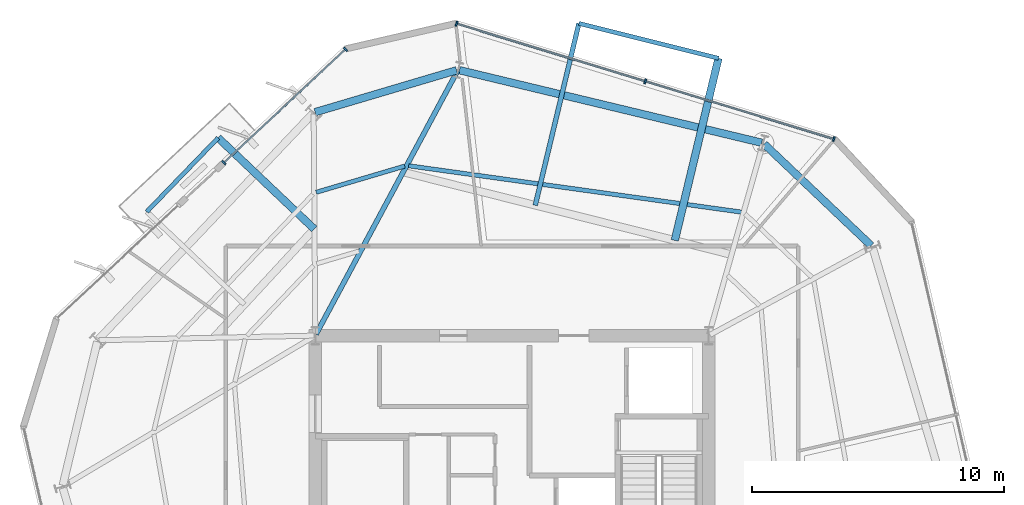
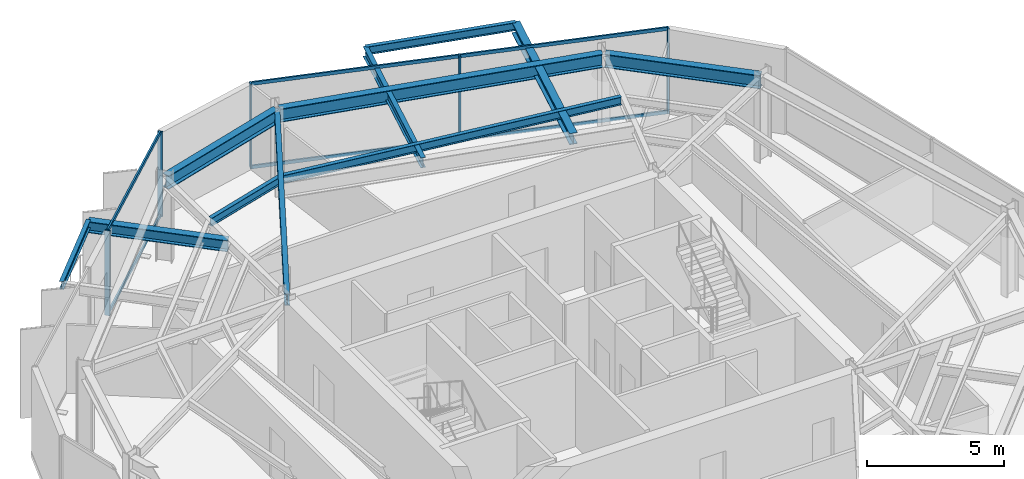
# One storey, part 5 of 11: 11 beams, 11 members, 2 elements without a shape of their own.
"""IFC4 building model written with IfcOpenShell, lengths in metres."""

from ifc_helpers import new_model, si_unit, direction, frame, origin, origin_2d, place, context, subcontext, project, spatial, rectangle, i_section, extrude, material, layer, layer_set, material_profile, profile_set, type_object, element, aggregate, save


model = new_model("IFC4")

# Units and contexts
model_context = context("Model", 3, precision=1e-05, world=origin(), true_north=direction((0.0, 1.0)))
body_context = subcontext(model_context, "Body", "Model", "MODEL_VIEW")
ifc_project = project(units=[si_unit("LENGTHUNIT", "METRE"), si_unit("AREAUNIT", "SQUARE_METRE"), si_unit("VOLUMEUNIT", "CUBIC_METRE"), si_unit("PLANEANGLEUNIT", "RADIAN"), si_unit("MASSUNIT", "GRAM", prefix="KILO")], contexts=[model_context])

# Site, building, storey
site_placement = place(None, origin())
site = spatial("IfcSite", under=ifc_project, at=site_placement, CompositionType="ELEMENT")
building_placement = place(site_placement, origin())
building = spatial("IfcBuilding", under=site, at=building_placement, Name="Kranzbogen Civic Tower", CompositionType="ELEMENT")
storey_placement = place(building_placement, frame((0.0, 0.0, 196.800048828125)))
storey = spatial("IfcBuildingStorey", under=building, at=storey_placement, Name="L47", CompositionType="ELEMENT", Elevation=196.800048828125)

# Beam
ifc_material_1 = material(Name="Steel S355", Category="steel")
ifc_material_profile_1 = material_profile(ifc_material_1, i_section(OverallWidth=0.18994140625, OverallDepth=0.449951171875, WebThickness=0.009521484375, FlangeThickness=0.0146484375, at=origin_2d()), Name="IPE 450")
ifc_profile_set_1 = profile_set([ifc_material_profile_1], Name="Steel S355")
beam_type_1 = type_object("IfcBeamType", Name="Braced Terrace Edge Beam IPE 450", PredefinedType="BEAM", material=ifc_profile_set_1)
beam_1_placement = place(storey_placement, frame((25.922119140625, 37.368896484375, 3.494873046875), z_axis=(0.233407815404, 0.972378934217, 0.0), x_axis=(-0.972378934217, 0.233407815404, 0.0)))
element("IfcBeam", 1, at=beam_1_placement, inside=storey, type_object=beam_type_1, Name="L48 back-spanned terrace beam L48-ST-2", PredefinedType="BEAM", context=body_context, shape_type="SweptSolid", body=[
    extrude(i_section(OverallWidth=0.18994140625, OverallDepth=0.449951171875, WebThickness=0.009521484375, FlangeThickness=0.0146484375, at=origin_2d()), origin(), (0.0, 0.0, 1.0), 7.416015625),
])

# Curtain wall, members
ifc_material_2 = material(Name="Pale Anodised Aluminium", Category="aluminium")
ifc_layer = layer(ifc_material_2, 0.219970703125, Name="Pale Anodised Aluminium")
ifc_layer_set = layer_set([ifc_layer], Name="Pale Anodised Aluminium")
curtain_wall_type = type_object("IfcCurtainWallType", Name="Zone 3 Stick Curtain Wall System CW-04", PredefinedType="USERDEFINED", material=ifc_layer_set)
curtain_wall_1_placement = place(storey_placement, origin())
curtain_wall_1 = element("IfcCurtainWall", 2, at=curtain_wall_1_placement, inside=storey, type_object=curtain_wall_type, Name="L47 curtain wall CW-L47-F1", ObjectType="STICK CURTAIN WALL", PredefinedType="USERDEFINED")
ifc_material_profile_2 = material_profile(ifc_material_2, rectangle(XDim=0.070068359375, YDim=0.199951171875, at=origin_2d()), Name="ALU-M 70x200")
ifc_profile_set_2 = profile_set([ifc_material_profile_2], Name="Pale Anodised Aluminium")
member_type_1 = type_object("IfcMemberType", Name="Curtain Wall Mullion ALU-M 70x200", PredefinedType="MULLION", material=ifc_profile_set_2)
member_1_placement = place(storey_placement, frame((37.765380859375, 39.994873046875, 0.0), z_axis=(0.0, 0.0, 1.0), x_axis=(-0.956311529973, 0.292349547017, 0.0)))
member_1 = element("IfcMember", 3, at=member_1_placement, type_object=member_type_1, Name="CW-04 mullion 1", PredefinedType="MULLION", context=body_context, shape_type="SweptSolid", body=[
    extrude(rectangle(XDim=0.070068359375, YDim=0.199951171875, at=origin_2d()), origin(), (0.0, 0.0, 1.0), 3.780029296875),
])
member_2_placement = place(storey_placement, frame((30.283447265625, 42.281982421875, 0.0), z_axis=(0.0, 0.0, 1.0), x_axis=(-0.956311529973, 0.292349547017, 0.0)))
member_2 = element("IfcMember", 4, at=member_2_placement, type_object=member_type_1, Name="CW-04 mullion 2", PredefinedType="MULLION", context=body_context, shape_type="SweptSolid", body=[
    extrude(rectangle(XDim=0.070068359375, YDim=0.199951171875, at=origin_2d()), origin(), (0.0, 0.0, 1.0), 3.780029296875),
])
member_3_placement = place(storey_placement, frame((22.8017578125, 44.5693359375, 0.0), z_axis=(0.0, 0.0, 1.0), x_axis=(-0.956311529973, 0.292349547017, 0.0)))
member_3 = element("IfcMember", 5, at=member_3_placement, type_object=member_type_1, Name="CW-04 mullion 3", PredefinedType="MULLION", context=body_context, shape_type="SweptSolid", body=[
    extrude(rectangle(XDim=0.070068359375, YDim=0.199951171875, at=origin_2d()), origin(), (0.0, 0.0, 1.0), 3.780029296875),
])

curtain_wall_2_placement = place(storey_placement, origin())
curtain_wall_2 = element("IfcCurtainWall", 6, at=curtain_wall_2_placement, inside=storey, type_object=curtain_wall_type, Name="L47 curtain wall CW-L47-F2-S1", ObjectType="STICK CURTAIN WALL", PredefinedType="USERDEFINED")
member_4_placement = place(storey_placement, frame((18.39697265625, 43.552490234375, 0.0), z_axis=(0.0, 0.0, 1.0), x_axis=(-0.731325095632, -0.682029034939, 0.0)))
member_4 = element("IfcMember", 7, at=member_4_placement, type_object=member_type_1, Name="CW-04 mullion 1", PredefinedType="MULLION", context=body_context, shape_type="SweptSolid", body=[
    extrude(rectangle(XDim=0.070068359375, YDim=0.199951171875, at=origin_2d()), origin(), (0.0, 0.0, 1.0), 3.780029296875),
])
member_5_placement = place(storey_placement, frame((13.574951171875, 39.055419921875, 0.0), z_axis=(0.0, 0.0, 1.0), x_axis=(-0.731325095632, -0.682029034939, 0.0)))
member_5 = element("IfcMember", 8, at=member_5_placement, type_object=member_type_1, Name="CW-04 mullion 2", PredefinedType="MULLION", context=body_context, shape_type="SweptSolid", body=[
    extrude(rectangle(XDim=0.070068359375, YDim=0.199951171875, at=origin_2d()), origin(), (0.0, 0.0, 1.0), 3.780029296875),
])

# Member
ifc_material_profile_3 = material_profile(ifc_material_2, rectangle(XDim=0.070068359375, YDim=0.14990234375, at=origin_2d()), Name="ALU-T 70x150")
ifc_profile_set_3 = profile_set([ifc_material_profile_3], Name="Pale Anodised Aluminium")
member_type_2 = type_object("IfcMemberType", Name="Curtain Wall Transom ALU-T 70x150", PredefinedType="USERDEFINED", material=ifc_profile_set_3)
member_6_placement = place(storey_placement, frame((37.736572265625, 40.003662109375, 0.030029296875), z_axis=(-0.956315922053, 0.292335179592, 0.0), x_axis=(-0.292335179592, -0.956315922053, 0.0)))
member_6 = element("IfcMember", 9, at=member_6_placement, type_object=member_type_2, Name="CW-04 transom 1.1", ObjectType="TRANSOM", PredefinedType="USERDEFINED", context=body_context, shape_type="SweptSolid", body=[
    extrude(rectangle(XDim=0.070068359375, YDim=0.14990234375, at=origin_2d()), origin(), (0.0, 0.0, 1.0), 7.763427734375),
])

member_7_placement = place(storey_placement, frame((37.736572265625, 40.003662109375, 3.75), z_axis=(-0.956315922053, 0.292335179592, 0.0), x_axis=(-0.292335179592, -0.956315922053, 0.0)))
member_7 = element("IfcMember", 10, at=member_7_placement, type_object=member_type_2, Name="CW-04 transom 1.2", ObjectType="TRANSOM", PredefinedType="USERDEFINED", context=body_context, shape_type="SweptSolid", body=[
    extrude(rectangle(XDim=0.070068359375, YDim=0.14990234375, at=origin_2d()), origin(), (0.0, 0.0, 1.0), 7.763427734375),
])

member_8_placement = place(storey_placement, frame((30.2548828125, 42.290771484375, 0.030029296875), z_axis=(-0.956309817986, 0.292355147079, 0.0), x_axis=(-0.292355147079, -0.956309817986, 0.0)))
member_8 = element("IfcMember", 11, at=member_8_placement, type_object=member_type_2, Name="CW-04 transom 2.1", ObjectType="TRANSOM", PredefinedType="USERDEFINED", context=body_context, shape_type="SweptSolid", body=[
    extrude(rectangle(XDim=0.070068359375, YDim=0.14990234375, at=origin_2d()), origin(), (0.0, 0.0, 1.0), 7.763671875),
])

member_9_placement = place(storey_placement, frame((30.2548828125, 42.290771484375, 3.75), z_axis=(-0.956309817986, 0.292355147079, 0.0), x_axis=(-0.292355147079, -0.956309817986, 0.0)))
member_9 = element("IfcMember", 12, at=member_9_placement, type_object=member_type_2, Name="CW-04 transom 2.2", ObjectType="TRANSOM", PredefinedType="USERDEFINED", context=body_context, shape_type="SweptSolid", body=[
    extrude(rectangle(XDim=0.070068359375, YDim=0.14990234375, at=origin_2d()), origin(), (0.0, 0.0, 1.0), 7.763671875),
])

aggregate(curtain_wall_1, [member_1, member_2, member_3, member_6, member_7, member_8, member_9])

member_10_placement = place(storey_placement, frame((18.375, 43.531982421875, 0.030029296875), z_axis=(-0.73132113506, -0.68203328175, 0.0), x_axis=(0.68203328175, -0.73132113506, 0.0)))
member_10 = element("IfcMember", 13, at=member_10_placement, type_object=member_type_2, Name="CW-04 transom 1.1", ObjectType="TRANSOM", PredefinedType="USERDEFINED", context=body_context, shape_type="SweptSolid", body=[
    extrude(rectangle(XDim=0.070068359375, YDim=0.14990234375, at=origin_2d()), origin(), (0.0, 0.0, 1.0), 6.533447265625),
])

member_11_placement = place(storey_placement, frame((18.375, 43.531982421875, 3.75), z_axis=(-0.73132113506, -0.68203328175, 0.0), x_axis=(0.68203328175, -0.73132113506, 0.0)))
member_11 = element("IfcMember", 14, at=member_11_placement, type_object=member_type_2, Name="CW-04 transom 1.2", ObjectType="TRANSOM", PredefinedType="USERDEFINED", context=body_context, shape_type="SweptSolid", body=[
    extrude(rectangle(XDim=0.070068359375, YDim=0.14990234375, at=origin_2d()), origin(), (0.0, 0.0, 1.0), 6.533447265625),
])

aggregate(curtain_wall_2, [member_4, member_5, member_10, member_11])

# Beams
ifc_material_profile_4 = material_profile(ifc_material_1, i_section(OverallWidth=0.300048828125, OverallDepth=0.5, WebThickness=0.014404296875, FlangeThickness=0.028076171875, at=origin_2d()), Name="HEB 500")
ifc_profile_set_4 = profile_set([ifc_material_profile_4], Name="Steel S355")
beam_type_2 = type_object("IfcBeamType", Name="Perimeter Tube Spandrel Beam HEB 500", PredefinedType="SPANDREL", material=ifc_profile_set_4)
beam_2_placement = place(storey_placement, frame((17.155029296875, 36.429931640625, 3.5), z_axis=(-0.72543810081, 0.688287412273, 0.0), x_axis=(-0.688287412273, -0.72543810081, 0.0)))
element("IfcBeam", 15, at=beam_2_placement, inside=storey, type_object=beam_type_2, Name="L48 back-spanned terrace beam L48-TB2-1", PredefinedType="SPANDREL", context=body_context, shape_type="SweptSolid", body=[
    extrude(i_section(OverallWidth=0.300048828125, OverallDepth=0.5, WebThickness=0.014404296875, FlangeThickness=0.028076171875, at=origin_2d()), origin(), (0.0, 0.0, 1.0), 5.250732421875),
])
beam_3_placement = place(storey_placement, frame((31.4560546875, 35.97607421875, 3.469970703125), z_axis=(0.233452519324, 0.972368202494, 0.0), x_axis=(-0.972368202494, 0.233452519324, 0.0)))
element("IfcBeam", 16, at=beam_3_placement, inside=storey, type_object=beam_type_2, Name="L48 back-spanned terrace beam L48-ST-1", PredefinedType="SPANDREL", context=body_context, shape_type="SweptSolid", body=[
    extrude(i_section(OverallWidth=0.300048828125, OverallDepth=0.5, WebThickness=0.014404296875, FlangeThickness=0.028076171875, at=origin_2d()), origin(), (0.0, 0.0, 1.0), 7.42724609375),
])
ifc_material_profile_5 = material_profile(ifc_material_1, i_section(OverallWidth=0.300048828125, OverallDepth=0.60009765625, WebThickness=0.015380859375, FlangeThickness=0.030029296875, at=origin_2d()), Name="HEB 600")
ifc_profile_set_5 = profile_set([ifc_material_profile_5], Name="Steel S355")
beam_type_3 = type_object("IfcBeamType", Name="Perimeter Tube Spandrel Beam HEB 600", PredefinedType="SPANDREL", material=ifc_profile_set_5)
beam_4_placement = place(storey_placement, frame((39.2490234375, 35.764892578125, 3.47998046875), z_axis=(-0.725245206788, 0.688490660816, 0.0), x_axis=(-0.688490660816, -0.725245206788, 0.0)))
element("IfcBeam", 17, at=beam_4_placement, inside=storey, type_object=beam_type_3, Name="L47 perimeter spandrel beam 07", PredefinedType="SPANDREL", context=body_context, shape_type="SweptSolid", body=[
    extrude(i_section(OverallWidth=0.300048828125, OverallDepth=0.60009765625, WebThickness=0.015380859375, FlangeThickness=0.030029296875, at=origin_2d()), origin(), (0.0, 0.0, 1.0), 5.85205078125),
])
beam_5_placement = place(storey_placement, frame((34.903076171875, 39.84912109375, 3.47998046875), z_axis=(-0.972377592092, 0.233413406637, 0.0), x_axis=(-0.233413406637, -0.972377592092, 0.0)))
element("IfcBeam", 18, at=beam_5_placement, inside=storey, type_object=beam_type_3, Name="L47 perimeter spandrel beam 08", PredefinedType="SPANDREL", context=body_context, shape_type="SweptSolid", body=[
    extrude(i_section(OverallWidth=0.300048828125, OverallDepth=0.60009765625, WebThickness=0.015380859375, FlangeThickness=0.030029296875, at=origin_2d()), origin(), (0.0, 0.0, 1.0), 12.32568359375),
])
beam_6_placement = place(storey_placement, frame((22.802001953125, 42.722900390625, 3.47998046875), z_axis=(-0.9588296723, -0.283981794341, 0.0), x_axis=(0.283981794341, -0.9588296723, 0.0)))
element("IfcBeam", 19, at=beam_6_placement, inside=storey, type_object=beam_type_3, Name="L47 perimeter spandrel beam 09", PredefinedType="SPANDREL", context=body_context, shape_type="SweptSolid", body=[
    extrude(i_section(OverallWidth=0.300048828125, OverallDepth=0.60009765625, WebThickness=0.015380859375, FlangeThickness=0.030029296875, at=origin_2d()), origin(), (0.0, 0.0, 1.0), 5.85205078125),
])
ifc_material_profile_6 = material_profile(ifc_material_1, i_section(OverallWidth=0.199951171875, OverallDepth=0.5, WebThickness=0.01025390625, FlangeThickness=0.01611328125, at=origin_2d()), Name="IPE 500")
ifc_profile_set_6 = profile_set([ifc_material_profile_6], Name="Steel S355")
beam_type_4 = type_object("IfcBeamType", Name="Radial Tower Floor Girder IPE 500", PredefinedType="BEAM", material=ifc_profile_set_6)
beam_7_placement = place(storey_placement, frame((22.83203125, 42.68701171875, 3.530029296875), z_axis=(-0.473160413549, -0.880976289721, 0.0), x_axis=(0.880976289721, -0.473160413549, 0.0)))
element("IfcBeam", 20, at=beam_7_placement, inside=storey, type_object=beam_type_4, Name="L47 radial floor girder 09", PredefinedType="BEAM", context=body_context, shape_type="SweptSolid", body=[
    extrude(i_section(OverallWidth=0.199951171875, OverallDepth=0.5, WebThickness=0.01025390625, FlangeThickness=0.01611328125, at=origin_2d()), origin(), (0.0, 0.0, 1.0), 11.84375),
])
ifc_material_profile_7 = material_profile(ifc_material_1, i_section(OverallWidth=0.169921875, OverallDepth=0.360107421875, WebThickness=0.008056640625, FlangeThickness=0.0126953125, at=origin_2d()), Name="IPE 360")
ifc_profile_set_7 = profile_set([ifc_material_profile_7], Name="Steel S355")
beam_type_5 = type_object("IfcBeamType", Name="Secondary Composite Floor Joist IPE 360", PredefinedType="JOIST", material=ifc_profile_set_7)
beam_8_placement = place(storey_placement, frame((34.10400390625, 37.096923828125, 3.599853515625), z_axis=(-0.990445837232, 0.137902296968, 0.0), x_axis=(-0.137902296968, -0.990445837232, 0.0)))
element("IfcBeam", 21, at=beam_8_placement, inside=storey, type_object=beam_type_5, Name="L47 secondary floor joist 1.08", PredefinedType="JOIST", context=body_context, shape_type="SweptSolid", body=[
    extrude(i_section(OverallWidth=0.169921875, OverallDepth=0.360107421875, WebThickness=0.008056640625, FlangeThickness=0.0126953125, at=origin_2d()), origin(), (0.0, 0.0, 1.0), 13.329345703125),
])
beam_9_placement = place(storey_placement, frame((20.74609375, 38.923095703125, 3.599853515625), z_axis=(-0.958843823165, -0.283934011309, 0.0), x_axis=(0.283934011309, -0.958843823165, 0.0)))
element("IfcBeam", 22, at=beam_9_placement, inside=storey, type_object=beam_type_5, Name="L47 secondary floor joist 1.09", PredefinedType="JOIST", context=body_context, shape_type="SweptSolid", body=[
    extrude(i_section(OverallWidth=0.169921875, OverallDepth=0.360107421875, WebThickness=0.008056640625, FlangeThickness=0.0126953125, at=origin_2d()), origin(), (0.0, 0.0, 1.0), 3.662841796875),
])
beam_10_placement = place(storey_placement, frame((13.345947265625, 40.0439453125, 3.570068359375), z_axis=(-0.694509001277, -0.719484014517, 0.0), x_axis=(0.719484014517, -0.694509001277, 0.0)))
element("IfcBeam", 23, at=beam_10_placement, inside=storey, type_object=beam_type_5, Name="L48 terrace outer edge trimmer L48-TB2", PredefinedType="JOIST", context=body_context, shape_type="SweptSolid", body=[
    extrude(i_section(OverallWidth=0.169921875, OverallDepth=0.360107421875, WebThickness=0.008056640625, FlangeThickness=0.0126953125, at=origin_2d()), origin(), (0.0, 0.0, 1.0), 4.076416015625),
])
beam_11_placement = place(storey_placement, frame((33.18994140625, 43.197998046875, 3.5400390625), z_axis=(-0.970230514722, 0.242183294847, 0.0), x_axis=(-0.242183294847, -0.970230514722, 0.0)))
element("IfcBeam", 24, at=beam_11_placement, inside=storey, type_object=beam_type_5, Name="L48 terrace outer edge trimmer L48-ST", PredefinedType="JOIST", context=body_context, shape_type="SweptSolid", body=[
    extrude(i_section(OverallWidth=0.169921875, OverallDepth=0.360107421875, WebThickness=0.008056640625, FlangeThickness=0.0126953125, at=origin_2d()), origin(), (0.0, 0.0, 1.0), 5.706787109375),
])

save(model, "model.ifc")
